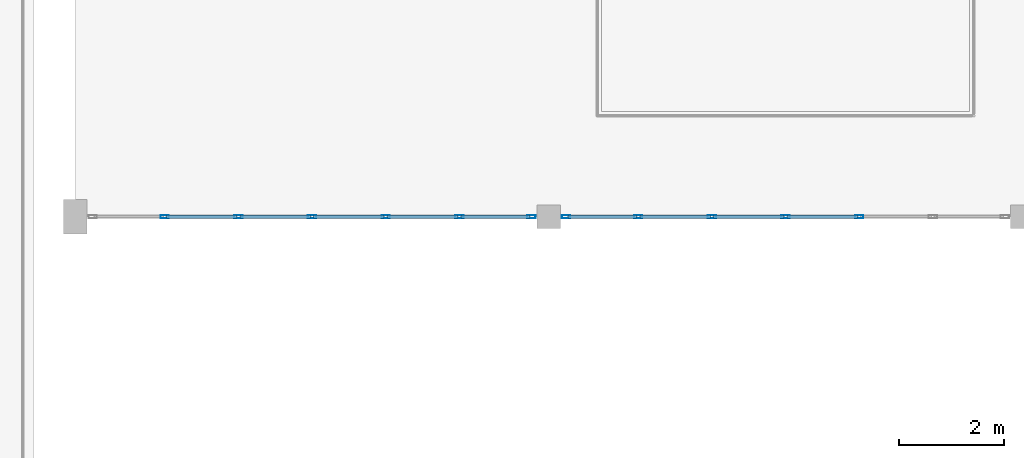
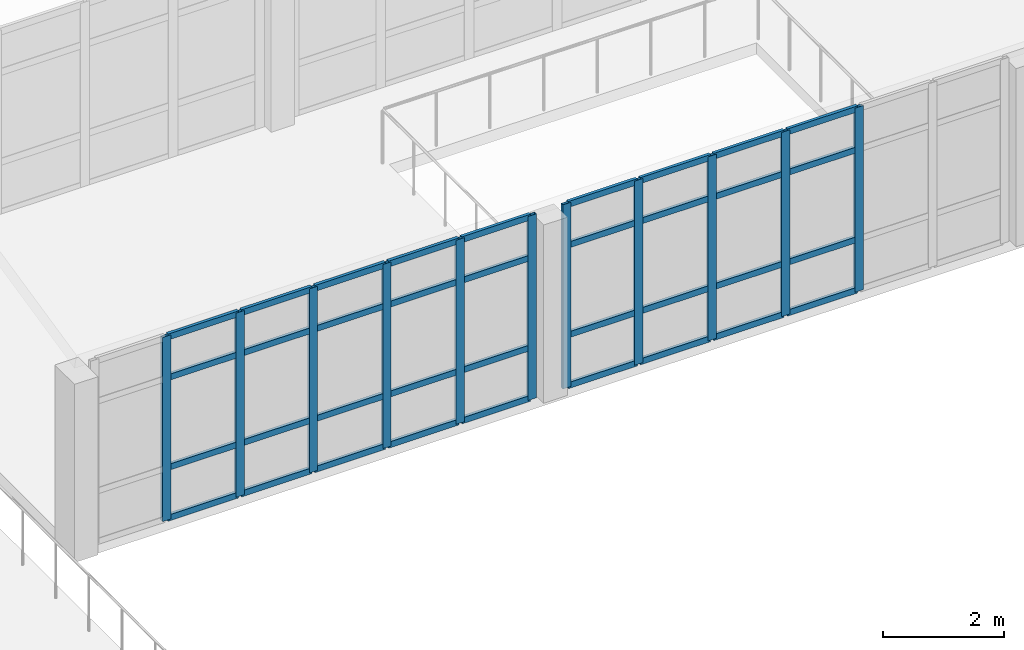
# One storey, part 73 of 156: 47 members, 2 elements without a shape of their own.
"""IFC4 building model written with IfcOpenShell, lengths in metres."""

from ifc_helpers import new_model, si_unit, direction, frame, origin, origin_2d, place, context, subcontext, project, spatial, hollow_rectangle, extrude, material, layer, layer_set, material_profile, profile_set, type_object, element, aggregate, save


model = new_model("IFC4")

# Units and contexts
model_context = context("Model", 3, precision=1e-05, world=origin(), true_north=direction((0.0, 1.0)))
body_context = subcontext(model_context, "Body", "Model", "MODEL_VIEW")
ifc_project = project(units=[si_unit("LENGTHUNIT", "METRE"), si_unit("AREAUNIT", "SQUARE_METRE"), si_unit("VOLUMEUNIT", "CUBIC_METRE"), si_unit("PLANEANGLEUNIT", "RADIAN"), si_unit("MASSUNIT", "GRAM", prefix="KILO")], contexts=[model_context])

# Site, building, storey
site_placement = place(None, origin())
site = spatial("IfcSite", under=ifc_project, at=site_placement, CompositionType="ELEMENT")
building_placement = place(site_placement, origin())
building = spatial("IfcBuilding", under=site, at=building_placement, Name="Ornek Quay Market", CompositionType="ELEMENT")
storey_placement = place(building_placement, frame((0.0, 0.0, 4.5)))
storey = spatial("IfcBuildingStorey", under=building, at=storey_placement, Name="L01", CompositionType="ELEMENT", Elevation=4.5)

# Curtain wall, members
ifc_material_1 = material(Name="Anodised bronze aluminium and triple low-e glass", Category="aluminium")
ifc_layer = layer(ifc_material_1, 0.179931640625, Name="Anodised bronze aluminium and triple low-e glass", Category="aluminium")
ifc_layer_set = layer_set([ifc_layer], Name="Anodised bronze aluminium and triple low-e glass")
curtain_wall_type = type_object("IfcCurtainWallType", Name="CW-CONC-MOD1500", PredefinedType="USERDEFINED", material=ifc_layer_set)
curtain_wall_1_placement = place(storey_placement, origin())
curtain_wall_1 = element("IfcCurtainWall", 1, at=curtain_wall_1_placement, inside=storey, type_object=curtain_wall_type, Name="Curtain wall CW-036", ObjectType="CURTAIN WALL", PredefinedType="USERDEFINED")
ifc_material_2 = material(Name="Anodised aluminium 6063-T6", Category="aluminium")
ifc_material_profile_1 = material_profile(ifc_material_2, hollow_rectangle(XDim=0.06005859375, YDim=0.159912109375, WallThickness=0.00390625, at=origin_2d()), Name="CW-MUL-60x160", Category="aluminium")
ifc_profile_set_1 = profile_set([ifc_material_profile_1], Name="Anodised aluminium 6063-T6")
member_type_1 = type_object("IfcMemberType", Name="CW-MUL-60x160", PredefinedType="MULLION", material=ifc_profile_set_1)
member_1_placement = place(storey_placement, frame((127.699951171875, 20.0, 0.0), z_axis=(0.0, 0.0, 1.0), x_axis=(0.0, 1.0, 0.0)))
member_1 = element("IfcMember", 2, at=member_1_placement, type_object=member_type_1, Name="CW-036 mullion 2", PredefinedType="MULLION", context=body_context, shape_type="SweptSolid", body=[
    extrude(hollow_rectangle(XDim=0.06005859375, YDim=0.159912109375, WallThickness=0.00390625, at=origin_2d()), origin(), (0.0, 0.0, 1.0), 3.7099609375),
])
member_2_placement = place(storey_placement, frame((129.10009765625, 20.0, 0.0), z_axis=(0.0, 0.0, 1.0), x_axis=(0.0, 1.0, 0.0)))
member_2 = element("IfcMember", 3, at=member_2_placement, type_object=member_type_1, Name="CW-036 mullion 3", PredefinedType="MULLION", context=body_context, shape_type="SweptSolid", body=[
    extrude(hollow_rectangle(XDim=0.06005859375, YDim=0.159912109375, WallThickness=0.00390625, at=origin_2d()), origin(), (0.0, 0.0, 1.0), 3.7099609375),
])
member_3_placement = place(storey_placement, frame((130.5, 20.0, 0.0), z_axis=(0.0, 0.0, 1.0), x_axis=(0.0, 1.0, 0.0)))
member_3 = element("IfcMember", 4, at=member_3_placement, type_object=member_type_1, Name="CW-036 mullion 4", PredefinedType="MULLION", context=body_context, shape_type="SweptSolid", body=[
    extrude(hollow_rectangle(XDim=0.06005859375, YDim=0.159912109375, WallThickness=0.00390625, at=origin_2d()), origin(), (0.0, 0.0, 1.0), 3.7099609375),
])
member_4_placement = place(storey_placement, frame((131.89990234375, 20.0, 0.0), z_axis=(0.0, 0.0, 1.0), x_axis=(0.0, 1.0, 0.0)))
member_4 = element("IfcMember", 5, at=member_4_placement, type_object=member_type_1, Name="CW-036 mullion 5", PredefinedType="MULLION", context=body_context, shape_type="SweptSolid", body=[
    extrude(hollow_rectangle(XDim=0.06005859375, YDim=0.159912109375, WallThickness=0.00390625, at=origin_2d()), origin(), (0.0, 0.0, 1.0), 3.7099609375),
])
member_5_placement = place(storey_placement, frame((133.300048828125, 20.0, 0.0), z_axis=(0.0, 0.0, 1.0), x_axis=(0.0, 1.0, 0.0)))
member_5 = element("IfcMember", 6, at=member_5_placement, type_object=member_type_1, Name="CW-036 mullion 6", PredefinedType="MULLION", context=body_context, shape_type="SweptSolid", body=[
    extrude(hollow_rectangle(XDim=0.06005859375, YDim=0.159912109375, WallThickness=0.00390625, at=origin_2d()), origin(), (0.0, 0.0, 1.0), 3.7099609375),
])
member_6_placement = place(storey_placement, frame((134.669921875, 20.0, 0.0), z_axis=(0.0, 0.0, 1.0), x_axis=(0.0, 1.0, 0.0)))
member_6 = element("IfcMember", 7, at=member_6_placement, type_object=member_type_1, Name="CW-036 mullion 7", PredefinedType="MULLION", context=body_context, shape_type="SweptSolid", body=[
    extrude(hollow_rectangle(XDim=0.06005859375, YDim=0.159912109375, WallThickness=0.00390625, at=origin_2d()), origin(), (0.0, 0.0, 1.0), 3.7099609375),
])

curtain_wall_2_placement = place(storey_placement, origin())
curtain_wall_2 = element("IfcCurtainWall", 8, at=curtain_wall_2_placement, inside=storey, type_object=curtain_wall_type, Name="Curtain wall CW-040", ObjectType="CURTAIN WALL", PredefinedType="USERDEFINED")
member_7_placement = place(storey_placement, frame((135.330078125, 20.0, 0.0), z_axis=(0.0, 0.0, 1.0), x_axis=(0.0, 1.0, 0.0)))
member_7 = element("IfcMember", 9, at=member_7_placement, type_object=member_type_1, Name="CW-040 mullion 1", PredefinedType="MULLION", context=body_context, shape_type="SweptSolid", body=[
    extrude(hollow_rectangle(XDim=0.06005859375, YDim=0.159912109375, WallThickness=0.00390625, at=origin_2d()), origin(), (0.0, 0.0, 1.0), 3.7099609375),
])
member_8_placement = place(storey_placement, frame((136.699951171875, 20.0, 0.0), z_axis=(0.0, 0.0, 1.0), x_axis=(0.0, 1.0, 0.0)))
member_8 = element("IfcMember", 10, at=member_8_placement, type_object=member_type_1, Name="CW-040 mullion 2", PredefinedType="MULLION", context=body_context, shape_type="SweptSolid", body=[
    extrude(hollow_rectangle(XDim=0.06005859375, YDim=0.159912109375, WallThickness=0.00390625, at=origin_2d()), origin(), (0.0, 0.0, 1.0), 3.7099609375),
])
member_9_placement = place(storey_placement, frame((138.10009765625, 20.0, 0.0), z_axis=(0.0, 0.0, 1.0), x_axis=(0.0, 1.0, 0.0)))
member_9 = element("IfcMember", 11, at=member_9_placement, type_object=member_type_1, Name="CW-040 mullion 3", PredefinedType="MULLION", context=body_context, shape_type="SweptSolid", body=[
    extrude(hollow_rectangle(XDim=0.06005859375, YDim=0.159912109375, WallThickness=0.00390625, at=origin_2d()), origin(), (0.0, 0.0, 1.0), 3.7099609375),
])
member_10_placement = place(storey_placement, frame((139.5, 20.0, 0.0), z_axis=(0.0, 0.0, 1.0), x_axis=(0.0, 1.0, 0.0)))
member_10 = element("IfcMember", 12, at=member_10_placement, type_object=member_type_1, Name="CW-040 mullion 4", PredefinedType="MULLION", context=body_context, shape_type="SweptSolid", body=[
    extrude(hollow_rectangle(XDim=0.06005859375, YDim=0.159912109375, WallThickness=0.00390625, at=origin_2d()), origin(), (0.0, 0.0, 1.0), 3.7099609375),
])
member_11_placement = place(storey_placement, frame((140.89990234375, 20.0, 0.0), z_axis=(0.0, 0.0, 1.0), x_axis=(0.0, 1.0, 0.0)))
member_11 = element("IfcMember", 13, at=member_11_placement, type_object=member_type_1, Name="CW-040 mullion 5", PredefinedType="MULLION", context=body_context, shape_type="SweptSolid", body=[
    extrude(hollow_rectangle(XDim=0.06005859375, YDim=0.159912109375, WallThickness=0.00390625, at=origin_2d()), origin(), (0.0, 0.0, 1.0), 3.7099609375),
])

# Member
ifc_material_profile_2 = material_profile(ifc_material_2, hollow_rectangle(XDim=0.06005859375, YDim=0.1201171875, WallThickness=0.00390625, at=origin_2d()), Name="CW-TRN-60x120", Category="aluminium")
ifc_profile_set_2 = profile_set([ifc_material_profile_2], Name="Anodised aluminium 6063-T6")
member_type_2 = type_object("IfcMemberType", Name="CW-TRN-60x120", PredefinedType="USERDEFINED", material=ifc_profile_set_2)
member_12_placement = place(storey_placement, frame((127.72998046875, 20.0, 0.030029296875), z_axis=(1.0, 0.0, 0.0), x_axis=(0.0, 1.0, 0.0)))
member_12 = element("IfcMember", 14, at=member_12_placement, type_object=member_type_2, Name="CW-036 transom 2.1", ObjectType="TRANSOM", PredefinedType="USERDEFINED", context=body_context, shape_type="SweptSolid", body=[
    extrude(hollow_rectangle(XDim=0.06005859375, YDim=0.1201171875, WallThickness=0.00390625, at=origin_2d()), origin(), (0.0, 0.0, 1.0), 1.340087890625),
])

member_13_placement = place(storey_placement, frame((127.72998046875, 20.0, 1.050048828125), z_axis=(1.0, 0.0, 0.0), x_axis=(0.0, 1.0, 0.0)))
member_13 = element("IfcMember", 15, at=member_13_placement, type_object=member_type_2, Name="CW-036 transom 2.2", ObjectType="TRANSOM", PredefinedType="USERDEFINED", context=body_context, shape_type="SweptSolid", body=[
    extrude(hollow_rectangle(XDim=0.06005859375, YDim=0.1201171875, WallThickness=0.00390625, at=origin_2d()), origin(), (0.0, 0.0, 1.0), 1.340087890625),
])

member_14_placement = place(storey_placement, frame((127.72998046875, 20.0, 2.860107421875), z_axis=(1.0, 0.0, 0.0), x_axis=(0.0, 1.0, 0.0)))
member_14 = element("IfcMember", 16, at=member_14_placement, type_object=member_type_2, Name="CW-036 transom 2.3", ObjectType="TRANSOM", PredefinedType="USERDEFINED", context=body_context, shape_type="SweptSolid", body=[
    extrude(hollow_rectangle(XDim=0.06005859375, YDim=0.1201171875, WallThickness=0.00390625, at=origin_2d()), origin(), (0.0, 0.0, 1.0), 1.340087890625),
])

member_15_placement = place(storey_placement, frame((127.72998046875, 20.0, 3.679931640625), z_axis=(1.0, 0.0, 0.0), x_axis=(0.0, 1.0, 0.0)))
member_15 = element("IfcMember", 17, at=member_15_placement, type_object=member_type_2, Name="CW-036 transom 2.4", ObjectType="TRANSOM", PredefinedType="USERDEFINED", context=body_context, shape_type="SweptSolid", body=[
    extrude(hollow_rectangle(XDim=0.06005859375, YDim=0.1201171875, WallThickness=0.00390625, at=origin_2d()), origin(), (0.0, 0.0, 1.0), 1.340087890625),
])

member_16_placement = place(storey_placement, frame((129.1298828125, 20.0, 0.030029296875), z_axis=(1.0, 0.0, 0.0), x_axis=(0.0, 1.0, 0.0)))
member_16 = element("IfcMember", 18, at=member_16_placement, type_object=member_type_2, Name="CW-036 transom 3.1", ObjectType="TRANSOM", PredefinedType="USERDEFINED", context=body_context, shape_type="SweptSolid", body=[
    extrude(hollow_rectangle(XDim=0.06005859375, YDim=0.1201171875, WallThickness=0.00390625, at=origin_2d()), origin(), (0.0, 0.0, 1.0), 1.340087890625),
])

member_17_placement = place(storey_placement, frame((129.1298828125, 20.0, 1.050048828125), z_axis=(1.0, 0.0, 0.0), x_axis=(0.0, 1.0, 0.0)))
member_17 = element("IfcMember", 19, at=member_17_placement, type_object=member_type_2, Name="CW-036 transom 3.2", ObjectType="TRANSOM", PredefinedType="USERDEFINED", context=body_context, shape_type="SweptSolid", body=[
    extrude(hollow_rectangle(XDim=0.06005859375, YDim=0.1201171875, WallThickness=0.00390625, at=origin_2d()), origin(), (0.0, 0.0, 1.0), 1.340087890625),
])

member_18_placement = place(storey_placement, frame((129.1298828125, 20.0, 2.860107421875), z_axis=(1.0, 0.0, 0.0), x_axis=(0.0, 1.0, 0.0)))
member_18 = element("IfcMember", 20, at=member_18_placement, type_object=member_type_2, Name="CW-036 transom 3.3", ObjectType="TRANSOM", PredefinedType="USERDEFINED", context=body_context, shape_type="SweptSolid", body=[
    extrude(hollow_rectangle(XDim=0.06005859375, YDim=0.1201171875, WallThickness=0.00390625, at=origin_2d()), origin(), (0.0, 0.0, 1.0), 1.340087890625),
])

member_19_placement = place(storey_placement, frame((129.1298828125, 20.0, 3.679931640625), z_axis=(1.0, 0.0, 0.0), x_axis=(0.0, 1.0, 0.0)))
member_19 = element("IfcMember", 21, at=member_19_placement, type_object=member_type_2, Name="CW-036 transom 3.4", ObjectType="TRANSOM", PredefinedType="USERDEFINED", context=body_context, shape_type="SweptSolid", body=[
    extrude(hollow_rectangle(XDim=0.06005859375, YDim=0.1201171875, WallThickness=0.00390625, at=origin_2d()), origin(), (0.0, 0.0, 1.0), 1.340087890625),
])

member_20_placement = place(storey_placement, frame((130.530029296875, 20.0, 0.030029296875), z_axis=(1.0, 0.0, 0.0), x_axis=(0.0, 1.0, 0.0)))
member_20 = element("IfcMember", 22, at=member_20_placement, type_object=member_type_2, Name="CW-036 transom 4.1", ObjectType="TRANSOM", PredefinedType="USERDEFINED", context=body_context, shape_type="SweptSolid", body=[
    extrude(hollow_rectangle(XDim=0.06005859375, YDim=0.1201171875, WallThickness=0.00390625, at=origin_2d()), origin(), (0.0, 0.0, 1.0), 1.340087890625),
])

member_21_placement = place(storey_placement, frame((130.530029296875, 20.0, 1.050048828125), z_axis=(1.0, 0.0, 0.0), x_axis=(0.0, 1.0, 0.0)))
member_21 = element("IfcMember", 23, at=member_21_placement, type_object=member_type_2, Name="CW-036 transom 4.2", ObjectType="TRANSOM", PredefinedType="USERDEFINED", context=body_context, shape_type="SweptSolid", body=[
    extrude(hollow_rectangle(XDim=0.06005859375, YDim=0.1201171875, WallThickness=0.00390625, at=origin_2d()), origin(), (0.0, 0.0, 1.0), 1.340087890625),
])

member_22_placement = place(storey_placement, frame((130.530029296875, 20.0, 2.860107421875), z_axis=(1.0, 0.0, 0.0), x_axis=(0.0, 1.0, 0.0)))
member_22 = element("IfcMember", 24, at=member_22_placement, type_object=member_type_2, Name="CW-036 transom 4.3", ObjectType="TRANSOM", PredefinedType="USERDEFINED", context=body_context, shape_type="SweptSolid", body=[
    extrude(hollow_rectangle(XDim=0.06005859375, YDim=0.1201171875, WallThickness=0.00390625, at=origin_2d()), origin(), (0.0, 0.0, 1.0), 1.340087890625),
])

member_23_placement = place(storey_placement, frame((130.530029296875, 20.0, 3.679931640625), z_axis=(1.0, 0.0, 0.0), x_axis=(0.0, 1.0, 0.0)))
member_23 = element("IfcMember", 25, at=member_23_placement, type_object=member_type_2, Name="CW-036 transom 4.4", ObjectType="TRANSOM", PredefinedType="USERDEFINED", context=body_context, shape_type="SweptSolid", body=[
    extrude(hollow_rectangle(XDim=0.06005859375, YDim=0.1201171875, WallThickness=0.00390625, at=origin_2d()), origin(), (0.0, 0.0, 1.0), 1.340087890625),
])

member_24_placement = place(storey_placement, frame((131.929931640625, 20.0, 0.030029296875), z_axis=(1.0, 0.0, 0.0), x_axis=(0.0, 1.0, 0.0)))
member_24 = element("IfcMember", 26, at=member_24_placement, type_object=member_type_2, Name="CW-036 transom 5.1", ObjectType="TRANSOM", PredefinedType="USERDEFINED", context=body_context, shape_type="SweptSolid", body=[
    extrude(hollow_rectangle(XDim=0.06005859375, YDim=0.1201171875, WallThickness=0.00390625, at=origin_2d()), origin(), (0.0, 0.0, 1.0), 1.340087890625),
])

member_25_placement = place(storey_placement, frame((131.929931640625, 20.0, 1.050048828125), z_axis=(1.0, 0.0, 0.0), x_axis=(0.0, 1.0, 0.0)))
member_25 = element("IfcMember", 27, at=member_25_placement, type_object=member_type_2, Name="CW-036 transom 5.2", ObjectType="TRANSOM", PredefinedType="USERDEFINED", context=body_context, shape_type="SweptSolid", body=[
    extrude(hollow_rectangle(XDim=0.06005859375, YDim=0.1201171875, WallThickness=0.00390625, at=origin_2d()), origin(), (0.0, 0.0, 1.0), 1.340087890625),
])

member_26_placement = place(storey_placement, frame((131.929931640625, 20.0, 2.860107421875), z_axis=(1.0, 0.0, 0.0), x_axis=(0.0, 1.0, 0.0)))
member_26 = element("IfcMember", 28, at=member_26_placement, type_object=member_type_2, Name="CW-036 transom 5.3", ObjectType="TRANSOM", PredefinedType="USERDEFINED", context=body_context, shape_type="SweptSolid", body=[
    extrude(hollow_rectangle(XDim=0.06005859375, YDim=0.1201171875, WallThickness=0.00390625, at=origin_2d()), origin(), (0.0, 0.0, 1.0), 1.340087890625),
])

member_27_placement = place(storey_placement, frame((131.929931640625, 20.0, 3.679931640625), z_axis=(1.0, 0.0, 0.0), x_axis=(0.0, 1.0, 0.0)))
member_27 = element("IfcMember", 29, at=member_27_placement, type_object=member_type_2, Name="CW-036 transom 5.4", ObjectType="TRANSOM", PredefinedType="USERDEFINED", context=body_context, shape_type="SweptSolid", body=[
    extrude(hollow_rectangle(XDim=0.06005859375, YDim=0.1201171875, WallThickness=0.00390625, at=origin_2d()), origin(), (0.0, 0.0, 1.0), 1.340087890625),
])

member_28_placement = place(storey_placement, frame((133.330078125, 20.0, 0.030029296875), z_axis=(1.0, 0.0, 0.0), x_axis=(0.0, 1.0, 0.0)))
member_28 = element("IfcMember", 30, at=member_28_placement, type_object=member_type_2, Name="CW-036 transom 6.1", ObjectType="TRANSOM", PredefinedType="USERDEFINED", context=body_context, shape_type="SweptSolid", body=[
    extrude(hollow_rectangle(XDim=0.06005859375, YDim=0.1201171875, WallThickness=0.00390625, at=origin_2d()), origin(), (0.0, 0.0, 1.0), 1.309814453125),
])

member_29_placement = place(storey_placement, frame((133.330078125, 20.0, 1.050048828125), z_axis=(1.0, 0.0, 0.0), x_axis=(0.0, 1.0, 0.0)))
member_29 = element("IfcMember", 31, at=member_29_placement, type_object=member_type_2, Name="CW-036 transom 6.2", ObjectType="TRANSOM", PredefinedType="USERDEFINED", context=body_context, shape_type="SweptSolid", body=[
    extrude(hollow_rectangle(XDim=0.06005859375, YDim=0.1201171875, WallThickness=0.00390625, at=origin_2d()), origin(), (0.0, 0.0, 1.0), 1.309814453125),
])

member_30_placement = place(storey_placement, frame((133.330078125, 20.0, 2.860107421875), z_axis=(1.0, 0.0, 0.0), x_axis=(0.0, 1.0, 0.0)))
member_30 = element("IfcMember", 32, at=member_30_placement, type_object=member_type_2, Name="CW-036 transom 6.3", ObjectType="TRANSOM", PredefinedType="USERDEFINED", context=body_context, shape_type="SweptSolid", body=[
    extrude(hollow_rectangle(XDim=0.06005859375, YDim=0.1201171875, WallThickness=0.00390625, at=origin_2d()), origin(), (0.0, 0.0, 1.0), 1.309814453125),
])

member_31_placement = place(storey_placement, frame((133.330078125, 20.0, 3.679931640625), z_axis=(1.0, 0.0, 0.0), x_axis=(0.0, 1.0, 0.0)))
member_31 = element("IfcMember", 33, at=member_31_placement, type_object=member_type_2, Name="CW-036 transom 6.4", ObjectType="TRANSOM", PredefinedType="USERDEFINED", context=body_context, shape_type="SweptSolid", body=[
    extrude(hollow_rectangle(XDim=0.06005859375, YDim=0.1201171875, WallThickness=0.00390625, at=origin_2d()), origin(), (0.0, 0.0, 1.0), 1.309814453125),
])

aggregate(curtain_wall_1, [member_1, member_2, member_3, member_4, member_5, member_6, member_12, member_13, member_14, member_15, member_16, member_17, member_18, member_19, member_20, member_21, member_22, member_23, member_24, member_25, member_26, member_27, member_28, member_29, member_30, member_31])

member_32_placement = place(storey_placement, frame((135.360107421875, 20.0, 0.030029296875), z_axis=(1.0, 0.0, 0.0), x_axis=(0.0, 1.0, 0.0)))
member_32 = element("IfcMember", 34, at=member_32_placement, type_object=member_type_2, Name="CW-040 transom 1.1", ObjectType="TRANSOM", PredefinedType="USERDEFINED", context=body_context, shape_type="SweptSolid", body=[
    extrude(hollow_rectangle(XDim=0.06005859375, YDim=0.1201171875, WallThickness=0.00390625, at=origin_2d()), origin(), (0.0, 0.0, 1.0), 1.309814453125),
])

member_33_placement = place(storey_placement, frame((135.360107421875, 20.0, 1.050048828125), z_axis=(1.0, 0.0, 0.0), x_axis=(0.0, 1.0, 0.0)))
member_33 = element("IfcMember", 35, at=member_33_placement, type_object=member_type_2, Name="CW-040 transom 1.2", ObjectType="TRANSOM", PredefinedType="USERDEFINED", context=body_context, shape_type="SweptSolid", body=[
    extrude(hollow_rectangle(XDim=0.06005859375, YDim=0.1201171875, WallThickness=0.00390625, at=origin_2d()), origin(), (0.0, 0.0, 1.0), 1.309814453125),
])

member_34_placement = place(storey_placement, frame((135.360107421875, 20.0, 2.860107421875), z_axis=(1.0, 0.0, 0.0), x_axis=(0.0, 1.0, 0.0)))
member_34 = element("IfcMember", 36, at=member_34_placement, type_object=member_type_2, Name="CW-040 transom 1.3", ObjectType="TRANSOM", PredefinedType="USERDEFINED", context=body_context, shape_type="SweptSolid", body=[
    extrude(hollow_rectangle(XDim=0.06005859375, YDim=0.1201171875, WallThickness=0.00390625, at=origin_2d()), origin(), (0.0, 0.0, 1.0), 1.309814453125),
])

member_35_placement = place(storey_placement, frame((135.360107421875, 20.0, 3.679931640625), z_axis=(1.0, 0.0, 0.0), x_axis=(0.0, 1.0, 0.0)))
member_35 = element("IfcMember", 37, at=member_35_placement, type_object=member_type_2, Name="CW-040 transom 1.4", ObjectType="TRANSOM", PredefinedType="USERDEFINED", context=body_context, shape_type="SweptSolid", body=[
    extrude(hollow_rectangle(XDim=0.06005859375, YDim=0.1201171875, WallThickness=0.00390625, at=origin_2d()), origin(), (0.0, 0.0, 1.0), 1.309814453125),
])

member_36_placement = place(storey_placement, frame((136.72998046875, 20.0, 0.030029296875), z_axis=(1.0, 0.0, 0.0), x_axis=(0.0, 1.0, 0.0)))
member_36 = element("IfcMember", 38, at=member_36_placement, type_object=member_type_2, Name="CW-040 transom 2.1", ObjectType="TRANSOM", PredefinedType="USERDEFINED", context=body_context, shape_type="SweptSolid", body=[
    extrude(hollow_rectangle(XDim=0.06005859375, YDim=0.1201171875, WallThickness=0.00390625, at=origin_2d()), origin(), (0.0, 0.0, 1.0), 1.340087890625),
])

member_37_placement = place(storey_placement, frame((136.72998046875, 20.0, 1.050048828125), z_axis=(1.0, 0.0, 0.0), x_axis=(0.0, 1.0, 0.0)))
member_37 = element("IfcMember", 39, at=member_37_placement, type_object=member_type_2, Name="CW-040 transom 2.2", ObjectType="TRANSOM", PredefinedType="USERDEFINED", context=body_context, shape_type="SweptSolid", body=[
    extrude(hollow_rectangle(XDim=0.06005859375, YDim=0.1201171875, WallThickness=0.00390625, at=origin_2d()), origin(), (0.0, 0.0, 1.0), 1.340087890625),
])

member_38_placement = place(storey_placement, frame((136.72998046875, 20.0, 2.860107421875), z_axis=(1.0, 0.0, 0.0), x_axis=(0.0, 1.0, 0.0)))
member_38 = element("IfcMember", 40, at=member_38_placement, type_object=member_type_2, Name="CW-040 transom 2.3", ObjectType="TRANSOM", PredefinedType="USERDEFINED", context=body_context, shape_type="SweptSolid", body=[
    extrude(hollow_rectangle(XDim=0.06005859375, YDim=0.1201171875, WallThickness=0.00390625, at=origin_2d()), origin(), (0.0, 0.0, 1.0), 1.340087890625),
])

member_39_placement = place(storey_placement, frame((136.72998046875, 20.0, 3.679931640625), z_axis=(1.0, 0.0, 0.0), x_axis=(0.0, 1.0, 0.0)))
member_39 = element("IfcMember", 41, at=member_39_placement, type_object=member_type_2, Name="CW-040 transom 2.4", ObjectType="TRANSOM", PredefinedType="USERDEFINED", context=body_context, shape_type="SweptSolid", body=[
    extrude(hollow_rectangle(XDim=0.06005859375, YDim=0.1201171875, WallThickness=0.00390625, at=origin_2d()), origin(), (0.0, 0.0, 1.0), 1.340087890625),
])

member_40_placement = place(storey_placement, frame((138.1298828125, 20.0, 0.030029296875), z_axis=(1.0, 0.0, 0.0), x_axis=(0.0, 1.0, 0.0)))
member_40 = element("IfcMember", 42, at=member_40_placement, type_object=member_type_2, Name="CW-040 transom 3.1", ObjectType="TRANSOM", PredefinedType="USERDEFINED", context=body_context, shape_type="SweptSolid", body=[
    extrude(hollow_rectangle(XDim=0.06005859375, YDim=0.1201171875, WallThickness=0.00390625, at=origin_2d()), origin(), (0.0, 0.0, 1.0), 1.340087890625),
])

member_41_placement = place(storey_placement, frame((138.1298828125, 20.0, 1.050048828125), z_axis=(1.0, 0.0, 0.0), x_axis=(0.0, 1.0, 0.0)))
member_41 = element("IfcMember", 43, at=member_41_placement, type_object=member_type_2, Name="CW-040 transom 3.2", ObjectType="TRANSOM", PredefinedType="USERDEFINED", context=body_context, shape_type="SweptSolid", body=[
    extrude(hollow_rectangle(XDim=0.06005859375, YDim=0.1201171875, WallThickness=0.00390625, at=origin_2d()), origin(), (0.0, 0.0, 1.0), 1.340087890625),
])

member_42_placement = place(storey_placement, frame((138.1298828125, 20.0, 2.860107421875), z_axis=(1.0, 0.0, 0.0), x_axis=(0.0, 1.0, 0.0)))
member_42 = element("IfcMember", 44, at=member_42_placement, type_object=member_type_2, Name="CW-040 transom 3.3", ObjectType="TRANSOM", PredefinedType="USERDEFINED", context=body_context, shape_type="SweptSolid", body=[
    extrude(hollow_rectangle(XDim=0.06005859375, YDim=0.1201171875, WallThickness=0.00390625, at=origin_2d()), origin(), (0.0, 0.0, 1.0), 1.340087890625),
])

member_43_placement = place(storey_placement, frame((138.1298828125, 20.0, 3.679931640625), z_axis=(1.0, 0.0, 0.0), x_axis=(0.0, 1.0, 0.0)))
member_43 = element("IfcMember", 45, at=member_43_placement, type_object=member_type_2, Name="CW-040 transom 3.4", ObjectType="TRANSOM", PredefinedType="USERDEFINED", context=body_context, shape_type="SweptSolid", body=[
    extrude(hollow_rectangle(XDim=0.06005859375, YDim=0.1201171875, WallThickness=0.00390625, at=origin_2d()), origin(), (0.0, 0.0, 1.0), 1.340087890625),
])

member_44_placement = place(storey_placement, frame((139.530029296875, 20.0, 0.030029296875), z_axis=(1.0, 0.0, 0.0), x_axis=(0.0, 1.0, 0.0)))
member_44 = element("IfcMember", 46, at=member_44_placement, type_object=member_type_2, Name="CW-040 transom 4.1", ObjectType="TRANSOM", PredefinedType="USERDEFINED", context=body_context, shape_type="SweptSolid", body=[
    extrude(hollow_rectangle(XDim=0.06005859375, YDim=0.1201171875, WallThickness=0.00390625, at=origin_2d()), origin(), (0.0, 0.0, 1.0), 1.340087890625),
])

member_45_placement = place(storey_placement, frame((139.530029296875, 20.0, 1.050048828125), z_axis=(1.0, 0.0, 0.0), x_axis=(0.0, 1.0, 0.0)))
member_45 = element("IfcMember", 47, at=member_45_placement, type_object=member_type_2, Name="CW-040 transom 4.2", ObjectType="TRANSOM", PredefinedType="USERDEFINED", context=body_context, shape_type="SweptSolid", body=[
    extrude(hollow_rectangle(XDim=0.06005859375, YDim=0.1201171875, WallThickness=0.00390625, at=origin_2d()), origin(), (0.0, 0.0, 1.0), 1.340087890625),
])

member_46_placement = place(storey_placement, frame((139.530029296875, 20.0, 2.860107421875), z_axis=(1.0, 0.0, 0.0), x_axis=(0.0, 1.0, 0.0)))
member_46 = element("IfcMember", 48, at=member_46_placement, type_object=member_type_2, Name="CW-040 transom 4.3", ObjectType="TRANSOM", PredefinedType="USERDEFINED", context=body_context, shape_type="SweptSolid", body=[
    extrude(hollow_rectangle(XDim=0.06005859375, YDim=0.1201171875, WallThickness=0.00390625, at=origin_2d()), origin(), (0.0, 0.0, 1.0), 1.340087890625),
])

member_47_placement = place(storey_placement, frame((139.530029296875, 20.0, 3.679931640625), z_axis=(1.0, 0.0, 0.0), x_axis=(0.0, 1.0, 0.0)))
member_47 = element("IfcMember", 49, at=member_47_placement, type_object=member_type_2, Name="CW-040 transom 4.4", ObjectType="TRANSOM", PredefinedType="USERDEFINED", context=body_context, shape_type="SweptSolid", body=[
    extrude(hollow_rectangle(XDim=0.06005859375, YDim=0.1201171875, WallThickness=0.00390625, at=origin_2d()), origin(), (0.0, 0.0, 1.0), 1.340087890625),
])

aggregate(curtain_wall_2, [member_7, member_8, member_9, member_10, member_11, member_32, member_33, member_34, member_35, member_36, member_37, member_38, member_39, member_40, member_41, member_42, member_43, member_44, member_45, member_46, member_47])

save(model, "model.ifc")
